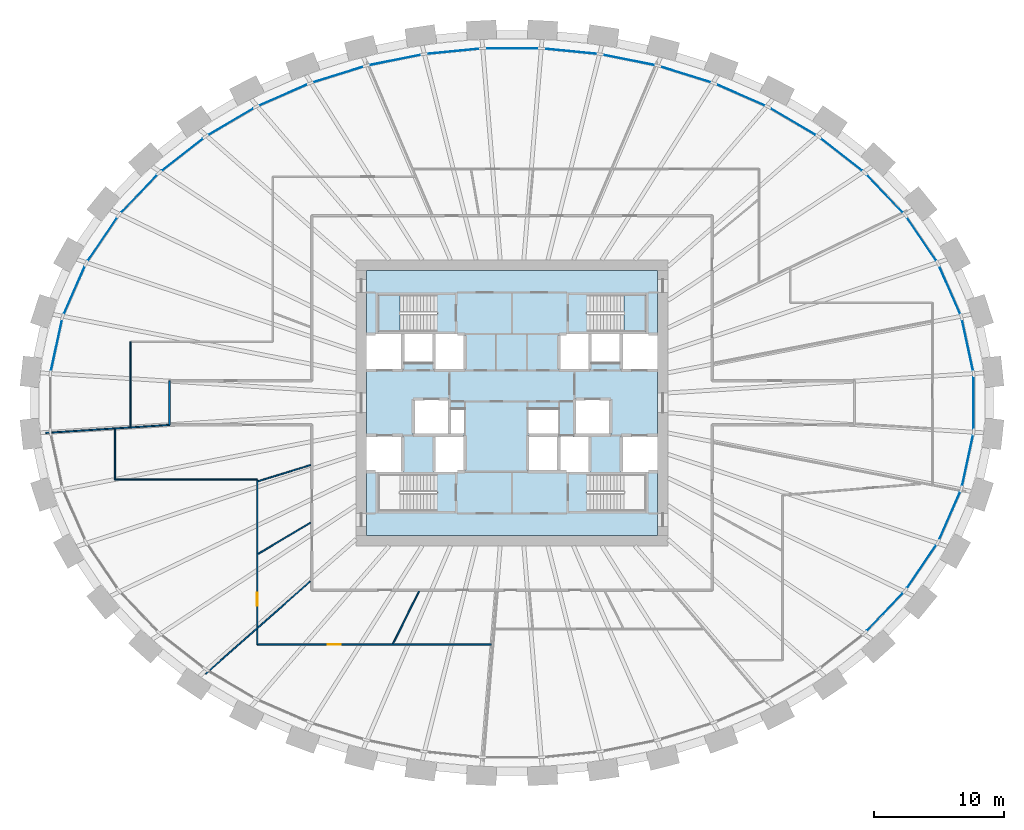
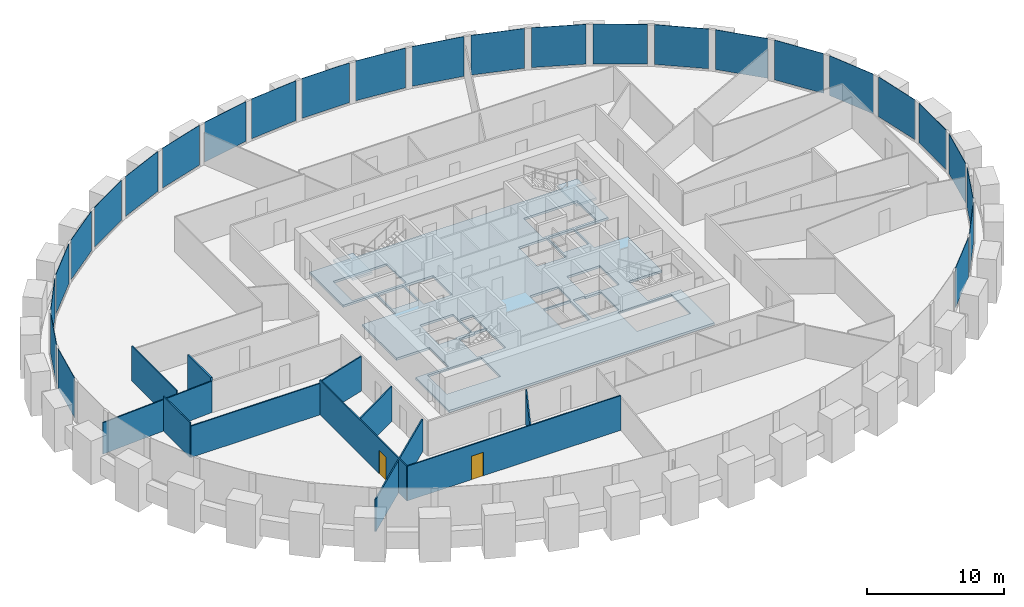
# One storey, part 5 of 10: 26 plates, 11 walls, 3 slabs, 2 doors, 2 openings, 3 elements without a shape of their own.
"""IFC4 building model written with IfcOpenShell, lengths in metres."""

from ifc_helpers import new_model, si_unit, direction, frame, frame_2d, origin, origin_2d, place, context, subcontext, project, spatial, polyline, rectangle, outline, extrude, source, transform, mapped, material, layer, layer_set, type_object, element, fill, aggregate, save


model = new_model("IFC4")

# Units and contexts
model_context = context("Model", 3, precision=1e-05, world=origin(), true_north=direction((0.0, 1.0)))
body_context = subcontext(model_context, "Body", "Model", "MODEL_VIEW")
ifc_project = project(units=[si_unit("LENGTHUNIT", "METRE"), si_unit("AREAUNIT", "SQUARE_METRE"), si_unit("VOLUMEUNIT", "CUBIC_METRE"), si_unit("PLANEANGLEUNIT", "RADIAN"), si_unit("MASSUNIT", "GRAM", prefix="KILO")], contexts=[model_context])

# Site, building, storey
site_placement = place(None, origin())
site = spatial("IfcSite", under=ifc_project, at=site_placement, CompositionType="ELEMENT")
building_placement = place(site_placement, origin())
building = spatial("IfcBuilding", under=site, at=building_placement, Name="Embergate Tower", CompositionType="ELEMENT")
storey_placement = place(building_placement, frame((0.0, 0.0, 183.300048828125)))
storey = spatial("IfcBuildingStorey", under=building, at=storey_placement, Name="L41", CompositionType="ELEMENT", Elevation=183.300048828125)

# Curtain wall, plates
ifc_material_1 = material(Name="Aluminium and glass", Category="aluminium")
curtain_wall_type = type_object("IfcCurtainWallType", Name="Recessed office glazing", PredefinedType="NOTDEFINED", material=ifc_material_1)
curtain_wall_placement = place(storey_placement, origin())
curtain_wall = element("IfcCurtainWall", 1, at=curtain_wall_placement, inside=storey, type_object=curtain_wall_type, Name="Recessed office glazing ring", ObjectType="RECESSED OFFICE GLAZING", PredefinedType="USERDEFINED")
ifc_material_2 = material(Name="Triple glazing, low-emissivity coating", Category="glass")
ifc_layer_1 = layer(ifc_material_2, 0.035888671875)
ifc_layer_set_1 = layer_set([ifc_layer_1], Name="Triple glazing, low-emissivity coating")
plate_type = type_object("IfcPlateType", Name="Office glazing unit", PredefinedType="CURTAIN_PANEL", material=ifc_layer_set_1)
shared_shape_1 = source(origin(), body_context, "Body", "SweptSolid", [
    extrude(rectangle(XDim=3.961181640625, YDim=0.035888671875, at=origin_2d()), origin(), (0.0, 0.0, 1.0), 3.550048828125),
])
plate_1_placement = place(storey_placement, frame((35.046630859375, 4.4296875, 0.14990234375), z_axis=(0.0, 0.0, 1.0), x_axis=(-0.210396684915, 0.977616097953, 0.0)))
plate_1 = element("IfcPlate", 2, at=plate_1_placement, type_object=plate_type, Name="CW panel 1.1", PredefinedType="CURTAIN_PANEL", context=body_context, shape_type="MappedRepresentation", body=[
    mapped(shared_shape_1, transform((0.0, 0.0, 0.0))),
])
plate_2_placement = place(storey_placement, frame((-35.046630859375, 4.4296875, 0.14990234375), z_axis=(0.0, 0.0, 1.0), x_axis=(-0.210396684915, -0.977616097953, 0.0)))
plate_2 = element("IfcPlate", 3, at=plate_2_placement, type_object=plate_type, Name="CW panel 21.1", PredefinedType="CURTAIN_PANEL", context=body_context, shape_type="MappedRepresentation", body=[
    mapped(shared_shape_1, transform((0.0, 0.0, 0.0))),
])
plate_3_placement = place(storey_placement, frame((35.046630859375, -4.4296875, 0.14990234375), z_axis=(0.0, 0.0, 1.0), x_axis=(0.210396684915, 0.977616097953, 0.0)))
plate_3 = element("IfcPlate", 4, at=plate_3_placement, type_object=plate_type, Name="CW panel 43.1", PredefinedType="CURTAIN_PANEL", context=body_context, shape_type="MappedRepresentation", body=[
    mapped(shared_shape_1, transform((0.0, 0.0, 0.0))),
])
shared_shape_2 = source(origin(), body_context, "Body", "SweptSolid", [
    extrude(rectangle(XDim=3.96826171875, YDim=0.035888671875, at=origin_2d()), origin(), (0.0, 0.0, 1.0), 3.550048828125),
])
plate_4_placement = place(storey_placement, frame((33.673828125, 8.67529296875, 0.14990234375), z_axis=(0.0, 0.0, 1.0), x_axis=(-0.401650502798, 0.915793029894, 0.0)))
plate_4 = element("IfcPlate", 5, at=plate_4_placement, type_object=plate_type, Name="CW panel 2.1", PredefinedType="CURTAIN_PANEL", context=body_context, shape_type="MappedRepresentation", body=[
    mapped(shared_shape_2, transform((0.0, 0.0, 0.0))),
])
plate_5_placement = place(storey_placement, frame((-33.673828125, 8.67529296875, 0.14990234375), z_axis=(0.0, 0.0, 1.0), x_axis=(-0.401650502798, -0.915793029894, 0.0)))
plate_5 = element("IfcPlate", 6, at=plate_5_placement, type_object=plate_type, Name="CW panel 20.1", PredefinedType="CURTAIN_PANEL", context=body_context, shape_type="MappedRepresentation", body=[
    mapped(shared_shape_2, transform((0.0, 0.0, 0.0))),
])
plate_6_placement = place(storey_placement, frame((33.673828125, -8.67529296875, 0.14990234375), z_axis=(0.0, 0.0, 1.0), x_axis=(0.401650502798, 0.915793029894, 0.0)))
plate_6 = element("IfcPlate", 7, at=plate_6_placement, type_object=plate_type, Name="CW panel 42.1", PredefinedType="CURTAIN_PANEL", context=body_context, shape_type="MappedRepresentation", body=[
    mapped(shared_shape_2, transform((0.0, 0.0, 0.0))),
])
shared_shape_3 = source(origin(), body_context, "Body", "SweptSolid", [
    extrude(rectangle(XDim=3.976806640625, YDim=0.035888671875, at=origin_2d()), origin(), (0.0, 0.0, 1.0), 3.550048828125),
])
plate_7_placement = place(storey_placement, frame((31.508056640625, 12.589599609375, 0.14990234375), z_axis=(0.0, 0.0, 1.0), x_axis=(-0.562340298693, 0.826905912705, 0.0)))
plate_7 = element("IfcPlate", 8, at=plate_7_placement, type_object=plate_type, Name="CW panel 3.1", PredefinedType="CURTAIN_PANEL", context=body_context, shape_type="MappedRepresentation", body=[
    mapped(shared_shape_3, transform((0.0, 0.0, 0.0))),
])
plate_8_placement = place(storey_placement, frame((-31.508056640625, 12.589599609375, 0.14990234375), z_axis=(0.0, 0.0, 1.0), x_axis=(-0.562340298693, -0.826905912705, 0.0)))
plate_8 = element("IfcPlate", 9, at=plate_8_placement, type_object=plate_type, Name="CW panel 19.1", PredefinedType="CURTAIN_PANEL", context=body_context, shape_type="MappedRepresentation", body=[
    mapped(shared_shape_3, transform((0.0, 0.0, 0.0))),
])
plate_9_placement = place(storey_placement, frame((31.508056640625, -12.589599609375, 0.14990234375), z_axis=(0.0, 0.0, 1.0), x_axis=(0.562340298693, 0.826905912705, 0.0)))
plate_9 = element("IfcPlate", 10, at=plate_9_placement, type_object=plate_type, Name="CW panel 41.1", PredefinedType="CURTAIN_PANEL", context=body_context, shape_type="MappedRepresentation", body=[
    mapped(shared_shape_3, transform((0.0, 0.0, 0.0))),
])
shared_shape_4 = source(origin(), body_context, "Body", "SweptSolid", [
    extrude(rectangle(XDim=3.985595703125, YDim=0.035888671875, at=origin_2d()), origin(), (0.0, 0.0, 1.0), 3.550048828125),
])
plate_10_placement = place(storey_placement, frame((28.68896484375, 16.079345703125, 0.14990234375), z_axis=(0.0, 0.0, 1.0), x_axis=(-0.6901325214, 0.723683012724, 0.0)))
plate_10 = element("IfcPlate", 11, at=plate_10_placement, type_object=plate_type, Name="CW panel 4.1", PredefinedType="CURTAIN_PANEL", context=body_context, shape_type="MappedRepresentation", body=[
    mapped(shared_shape_4, transform((0.0, 0.0, 0.0))),
])
plate_11_placement = place(storey_placement, frame((-28.68896484375, 16.079345703125, 0.14990234375), z_axis=(0.0, 0.0, 1.0), x_axis=(-0.6901325214, -0.723683012724, 0.0)))
plate_11 = element("IfcPlate", 12, at=plate_11_placement, type_object=plate_type, Name="CW panel 18.1", PredefinedType="CURTAIN_PANEL", context=body_context, shape_type="MappedRepresentation", body=[
    mapped(shared_shape_4, transform((0.0, 0.0, 0.0))),
])
plate_12_placement = place(storey_placement, frame((28.68896484375, -16.079345703125, 0.14990234375), z_axis=(0.0, 0.0, 1.0), x_axis=(0.6901325214, 0.723683012724, 0.0)))
plate_12 = element("IfcPlate", 13, at=plate_12_placement, type_object=plate_type, Name="CW panel 40.1", PredefinedType="CURTAIN_PANEL", context=body_context, shape_type="MappedRepresentation", body=[
    mapped(shared_shape_4, transform((0.0, 0.0, 0.0))),
])
shared_shape_5 = source(origin(), body_context, "Body", "SweptSolid", [
    extrude(rectangle(XDim=3.992919921875, YDim=0.035888671875, at=origin_2d()), origin(), (0.0, 0.0, 1.0), 3.550048828125),
])
plate_13_placement = place(storey_placement, frame((25.35546875, 19.097900390625, 0.14990234375), z_axis=(0.0, 0.0, 1.0), x_axis=(-0.788317971569, 0.615268051911, 0.0)))
plate_13 = element("IfcPlate", 14, at=plate_13_placement, type_object=plate_type, Name="CW panel 5.1", PredefinedType="CURTAIN_PANEL", context=body_context, shape_type="MappedRepresentation", body=[
    mapped(shared_shape_5, transform((0.0, 0.0, 0.0))),
])
plate_14_placement = place(storey_placement, frame((-25.35546875, 19.097900390625, 0.14990234375), z_axis=(0.0, 0.0, 1.0), x_axis=(-0.788317971569, -0.615268051911, 0.0)))
plate_14 = element("IfcPlate", 15, at=plate_14_placement, type_object=plate_type, Name="CW panel 17.1", PredefinedType="CURTAIN_PANEL", context=body_context, shape_type="MappedRepresentation", body=[
    mapped(shared_shape_5, transform((0.0, 0.0, 0.0))),
])
shared_shape_6 = source(origin(), body_context, "Body", "SweptSolid", [
    extrude(rectangle(XDim=3.9990234375, YDim=0.035888671875, at=origin_2d()), origin(), (0.0, 0.0, 1.0), 3.550048828125),
])
plate_15_placement = place(storey_placement, frame((21.62890625, 21.631591796875, 0.14990234375), z_axis=(0.0, 0.0, 1.0), x_axis=(-0.862051398678, 0.50682086188, 0.0)))
plate_15 = element("IfcPlate", 16, at=plate_15_placement, type_object=plate_type, Name="CW panel 6.1", PredefinedType="CURTAIN_PANEL", context=body_context, shape_type="MappedRepresentation", body=[
    mapped(shared_shape_6, transform((0.0, 0.0, 0.0))),
])
plate_16_placement = place(storey_placement, frame((-21.62890625, 21.631591796875, 0.14990234375), z_axis=(0.0, 0.0, 1.0), x_axis=(-0.862051398678, -0.50682086188, 0.0)))
plate_16 = element("IfcPlate", 17, at=plate_16_placement, type_object=plate_type, Name="CW panel 16.1", PredefinedType="CURTAIN_PANEL", context=body_context, shape_type="MappedRepresentation", body=[
    mapped(shared_shape_6, transform((0.0, 0.0, 0.0))),
])
shared_shape_7 = source(origin(), body_context, "Body", "SweptSolid", [
    extrude(rectangle(XDim=4.00341796875, YDim=0.035888671875, at=origin_2d()), origin(), (0.0, 0.0, 1.0), 3.550048828125),
])
plate_17_placement = place(storey_placement, frame((17.608642578125, 23.682861328125, 0.14990234375), z_axis=(0.0, 0.0, 1.0), x_axis=(-0.916234813243, 0.400641694037, 0.0)))
plate_17 = element("IfcPlate", 18, at=plate_17_placement, type_object=plate_type, Name="CW panel 7.1", PredefinedType="CURTAIN_PANEL", context=body_context, shape_type="MappedRepresentation", body=[
    mapped(shared_shape_7, transform((0.0, 0.0, 0.0))),
])
plate_18_placement = place(storey_placement, frame((-17.608642578125, 23.682861328125, 0.14990234375), z_axis=(0.0, 0.0, 1.0), x_axis=(-0.916234813243, -0.400641694037, 0.0)))
plate_18 = element("IfcPlate", 19, at=plate_18_placement, type_object=plate_type, Name="CW panel 15.1", PredefinedType="CURTAIN_PANEL", context=body_context, shape_type="MappedRepresentation", body=[
    mapped(shared_shape_7, transform((0.0, 0.0, 0.0))),
])
shared_shape_8 = source(origin(), body_context, "Body", "SweptSolid", [
    extrude(rectangle(XDim=4.0068359375, YDim=0.035888671875, at=origin_2d()), origin(), (0.0, 0.0, 1.0), 3.550048828125),
])
plate_19_placement = place(storey_placement, frame((13.37548828125, 25.261962890625, 0.14990234375), z_axis=(0.0, 0.0, 1.0), x_axis=(-0.954771179262, 0.297341546458, 0.0)))
plate_19 = element("IfcPlate", 20, at=plate_19_placement, type_object=plate_type, Name="CW panel 8.1", PredefinedType="CURTAIN_PANEL", context=body_context, shape_type="MappedRepresentation", body=[
    mapped(shared_shape_8, transform((0.0, 0.0, 0.0))),
])
plate_20_placement = place(storey_placement, frame((-13.37548828125, 25.261962890625, 0.14990234375), z_axis=(0.0, 0.0, 1.0), x_axis=(-0.954771179262, -0.297341546458, 0.0)))
plate_20 = element("IfcPlate", 21, at=plate_20_placement, type_object=plate_type, Name="CW panel 14.1", PredefinedType="CURTAIN_PANEL", context=body_context, shape_type="MappedRepresentation", body=[
    mapped(shared_shape_8, transform((0.0, 0.0, 0.0))),
])
shared_shape_9 = source(origin(), body_context, "Body", "SweptSolid", [
    extrude(rectangle(XDim=4.009033203125, YDim=0.035888671875, at=origin_2d()), origin(), (0.0, 0.0, 1.0), 3.550048828125),
])
plate_21_placement = place(storey_placement, frame((8.994140625, 26.380126953125, 0.14990234375), z_axis=(0.0, 0.0, 1.0), x_axis=(-0.980475564207, 0.196640962142, 0.0)))
plate_21 = element("IfcPlate", 22, at=plate_21_placement, type_object=plate_type, Name="CW panel 9.1", PredefinedType="CURTAIN_PANEL", context=body_context, shape_type="MappedRepresentation", body=[
    mapped(shared_shape_9, transform((0.0, 0.0, 0.0))),
])
plate_22_placement = place(storey_placement, frame((-8.994140625, 26.380126953125, 0.14990234375), z_axis=(0.0, 0.0, 1.0), x_axis=(-0.980475564207, -0.196640962142, 0.0)))
plate_22 = element("IfcPlate", 23, at=plate_22_placement, type_object=plate_type, Name="CW panel 13.1", PredefinedType="CURTAIN_PANEL", context=body_context, shape_type="MappedRepresentation", body=[
    mapped(shared_shape_9, transform((0.0, 0.0, 0.0))),
])
shared_shape_10 = source(origin(), body_context, "Body", "SweptSolid", [
    extrude(rectangle(XDim=4.01025390625, YDim=0.035888671875, at=origin_2d()), origin(), (0.0, 0.0, 1.0), 3.550048828125),
])
plate_23_placement = place(storey_placement, frame((4.51953125, 27.047119140625, 0.14990234375), z_axis=(0.0, 0.0, 1.0), x_axis=(-0.995203184788, 0.097829550688, 0.0)))
plate_23 = element("IfcPlate", 24, at=plate_23_placement, type_object=plate_type, Name="CW panel 10.1", PredefinedType="CURTAIN_PANEL", context=body_context, shape_type="MappedRepresentation", body=[
    mapped(shared_shape_10, transform((0.0, 0.0, 0.0))),
])
plate_24_placement = place(storey_placement, frame((-4.51953125, 27.047119140625, 0.14990234375), z_axis=(0.0, 0.0, 1.0), x_axis=(-0.995203184788, -0.097829550688, 0.0)))
plate_24 = element("IfcPlate", 25, at=plate_24_placement, type_object=plate_type, Name="CW panel 12.1", PredefinedType="CURTAIN_PANEL", context=body_context, shape_type="MappedRepresentation", body=[
    mapped(shared_shape_10, transform((0.0, 0.0, 0.0))),
])
shared_shape_11 = source(origin(), body_context, "Body", "SweptSolid", [
    extrude(rectangle(XDim=4.010498046875, YDim=0.035888671875, at=origin_2d()), origin(), (0.0, 0.0, 1.0), 3.550048828125),
])
plate_25_placement = place(storey_placement, frame((0.0, 27.268798828125, 0.14990234375), z_axis=(0.0, 0.0, 1.0), x_axis=(-1.0, 0.0, 0.0)))
plate_25 = element("IfcPlate", 26, at=plate_25_placement, type_object=plate_type, Name="CW panel 11.1", PredefinedType="CURTAIN_PANEL", context=body_context, shape_type="MappedRepresentation", body=[
    mapped(shared_shape_11, transform((0.0, 0.0, 0.0))),
])
shared_shape_12 = source(origin(), body_context, "Body", "SweptSolid", [
    extrude(rectangle(XDim=3.95849609375, YDim=0.035888671875, at=origin_2d()), origin(), (0.0, 0.0, 1.0), 3.550048828125),
])
plate_26_placement = place(storey_placement, frame((35.51806640625, 0.0, 0.14990234375), z_axis=(0.0, 0.0, 1.0), x_axis=(0.0, 1.0, 0.0)))
plate_26 = element("IfcPlate", 27, at=plate_26_placement, type_object=plate_type, Name="CW panel 44.1", PredefinedType="CURTAIN_PANEL", context=body_context, shape_type="MappedRepresentation", body=[
    mapped(shared_shape_12, transform((0.0, 0.0, 0.0))),
])
aggregate(curtain_wall, [plate_1, plate_4, plate_7, plate_10, plate_13, plate_15, plate_17, plate_19, plate_21, plate_23, plate_25, plate_24, plate_22, plate_20, plate_18, plate_16, plate_14, plate_11, plate_8, plate_5, plate_2, plate_12, plate_9, plate_6, plate_3, plate_26])

# Stair, slab
ifc_material_3 = material(Name="Exit stair")
stair_type = type_object("IfcStairType", Name="Exit stair", PredefinedType="HALF_TURN_STAIR", material=ifc_material_3)
stair_1_placement = place(storey_placement, origin())
stair_1 = element("IfcStair", 28, at=stair_1_placement, inside=storey, type_object=stair_type, Name="L41 Exit stair 1", PredefinedType="HALF_TURN_STAIR")
ifc_material_4 = material(Name="Concrete C40", Category="concrete")
ifc_layer_2 = layer(ifc_material_4, 0.199951171875)
ifc_layer_set_2 = layer_set([ifc_layer_2], Name="Concrete C40")
slab_type_1 = type_object("IfcSlabType", Name="Stair landing reinforced concrete", PredefinedType="LANDING", material=ifc_layer_set_2)
shared_shape_13 = source(origin(), body_context, "Body", "SweptSolid", [
    extrude(outline(polyline([(0.0, 0.0), (1.68994140625, 0.0), (1.68994140625, 2.800048828125), (0.0, 2.800048828125), (0.0, 0.0)])), origin(), (0.0, 0.0, 1.0), 0.199951171875),
])
slab_1_placement = place(storey_placement, frame((-10.300048828125, 5.5, 1.75)))
slab_1 = element("IfcSlab", 29, at=slab_1_placement, type_object=slab_type_1, Name="ST1 landing 1", PredefinedType="LANDING", context=body_context, shape_type="MappedRepresentation", body=[
    mapped(shared_shape_13, transform((0.0, 0.0, 0.0))),
])
aggregate(stair_1, [slab_1])

stair_2_placement = place(storey_placement, origin())
stair_2 = element("IfcStair", 30, at=stair_2_placement, inside=storey, type_object=stair_type, Name="L41 Exit stair 2", PredefinedType="HALF_TURN_STAIR")
slab_2_placement = place(storey_placement, frame((8.610107421875, 5.5, 1.75)))
slab_2 = element("IfcSlab", 31, at=slab_2_placement, type_object=slab_type_1, Name="ST2 landing 1", PredefinedType="LANDING", context=body_context, shape_type="MappedRepresentation", body=[
    mapped(shared_shape_13, transform((0.0, 0.0, 0.0))),
])
aggregate(stair_2, [slab_2])

# Slab
ifc_layer_3 = layer(ifc_material_4, 0.199951171875)
ifc_layer_set_3 = layer_set([ifc_layer_3], Name="Concrete C40")
slab_type_2 = type_object("IfcSlabType", Name="Core floor slab 200 reinforced concrete", PredefinedType="FLOOR", material=ifc_layer_set_3)
shared_shape_14 = source(origin(), body_context, "Body", "SweptSolid", [
    extrude(outline(polyline([(0.0, 0.0), (22.39990234375, 0.0), (22.39990234375, 4.89990234375), (19.599853515625, 4.89990234375), (19.599853515625, 7.699951171875), (22.39990234375, 7.699951171875), (22.39990234375, 12.699951171875), (19.599853515625, 12.699951171875), (19.599853515625, 15.5), (22.39990234375, 15.5), (22.39990234375, 20.39990234375), (0.0, 20.39990234375), (0.0, 15.5), (2.800048828125, 15.5), (2.800048828125, 12.699951171875), (0.0, 12.699951171875), (0.0, 7.699951171875), (2.800048828125, 7.699951171875), (2.800048828125, 4.89990234375), (0.0, 4.89990234375), (0.0, 0.0)]), holes=[polyline([(0.89990234375, 1.89990234375), (0.89990234375, 4.699951171875), (5.43994140625, 4.699951171875), (5.43994140625, 1.89990234375), (0.89990234375, 1.89990234375)]), polyline([(16.9599609375, 1.89990234375), (16.9599609375, 4.699951171875), (21.5, 4.699951171875), (21.5, 1.89990234375), (16.9599609375, 1.89990234375)]), polyline([(5.199951171875, 4.89990234375), (5.199951171875, 7.574951171875), (6.52490234375, 7.574951171875), (6.52490234375, 7.699951171875), (7.599853515625, 7.699951171875), (7.599853515625, 4.89990234375), (5.199951171875, 4.89990234375)]), polyline([(12.39990234375, 4.89990234375), (12.39990234375, 7.699951171875), (14.675048828125, 7.699951171875), (14.675048828125, 4.89990234375), (12.39990234375, 4.89990234375)]), polyline([(14.925048828125, 4.89990234375), (14.925048828125, 7.699951171875), (15.875, 7.699951171875), (15.875, 7.574951171875), (17.199951171875, 7.574951171875), (17.199951171875, 4.89990234375), (14.925048828125, 4.89990234375)]), polyline([(3.599853515625, 7.699951171875), (3.599853515625, 10.5), (6.39990234375, 10.5), (6.39990234375, 7.824951171875), (5.074951171875, 7.824951171875), (5.074951171875, 7.699951171875), (3.599853515625, 7.699951171875)]), polyline([(17.324951171875, 7.699951171875), (17.324951171875, 7.824951171875), (16.0, 7.824951171875), (16.0, 10.5), (18.800048828125, 10.5), (18.800048828125, 7.699951171875), (17.324951171875, 7.699951171875)]), polyline([(6.52490234375, 7.824951171875), (6.52490234375, 9.699951171875), (7.599853515625, 9.699951171875), (7.599853515625, 7.824951171875), (6.52490234375, 7.824951171875)]), polyline([(12.39990234375, 7.824951171875), (12.39990234375, 9.699951171875), (14.800048828125, 9.699951171875), (14.800048828125, 7.824951171875), (14.675048828125, 7.824951171875), (12.39990234375, 7.824951171875)]), polyline([(5.199951171875, 12.699951171875), (5.199951171875, 15.5), (7.599853515625, 15.5), (7.599853515625, 12.699951171875), (5.199951171875, 12.699951171875)]), polyline([(14.800048828125, 12.699951171875), (14.800048828125, 15.5), (17.199951171875, 15.5), (17.199951171875, 12.699951171875), (14.800048828125, 12.699951171875)]), polyline([(2.925048828125, 13.300048828125), (2.925048828125, 15.5), (5.074951171875, 15.5), (5.074951171875, 13.300048828125), (2.925048828125, 13.300048828125)]), polyline([(17.324951171875, 13.300048828125), (17.324951171875, 15.5), (19.474853515625, 15.5), (19.474853515625, 13.300048828125), (17.324951171875, 13.300048828125)]), polyline([(0.89990234375, 15.699951171875), (0.89990234375, 18.5), (5.43994140625, 18.5), (5.43994140625, 15.699951171875), (0.89990234375, 15.699951171875)]), polyline([(16.9599609375, 15.699951171875), (16.9599609375, 18.5), (21.5, 18.5), (21.5, 15.699951171875), (16.9599609375, 15.699951171875)])]), origin(), (0.0, 0.0, 1.0), 0.199951171875),
])
slab_3_placement = place(storey_placement, frame((-11.199951171875, -10.199951171875, -0.199951171875)))
element("IfcSlab", 32, at=slab_3_placement, inside=storey, type_object=slab_type_2, Name="Core floor slab", PredefinedType="FLOOR", context=body_context, shape_type="MappedRepresentation", body=[
    mapped(shared_shape_14, transform((0.0, 0.0, 0.0))),
])

# Walls
ifc_material_5 = material(Name="Partition dry-lined 100")
ifc_layer_4 = layer(ifc_material_5, 0.10009765625)
ifc_layer_set_4 = layer_set([ifc_layer_4], Name="Partition dry-lined 100")
wall_type_1 = type_object("IfcWallType", Name="Partition dry-lined 100", PredefinedType="PARTITIONING", material=ifc_layer_set_4)
shared_shape_15 = source(origin(), body_context, "Body", "SweptSolid", [
    extrude(rectangle(XDim=10.949951171875, YDim=0.10009765625, at=frame_2d((5.47509765625, 0.0))), origin(), (0.0, 0.0, 1.0), 2.800048828125),
])
wall_1_placement = place(storey_placement, frame((-19.60009765625, -5.89990234375, 0.0), z_axis=(0.0, 0.0, 1.0), x_axis=(-1.0, 0.0, 0.0)))
element("IfcWall", 33, at=wall_1_placement, inside=storey, type_object=wall_type_1, Name="IP-1 wall", PredefinedType="PARTITIONING", context=body_context, shape_type="MappedRepresentation", body=[
    mapped(shared_shape_15, transform((0.0, 0.0, 0.0))),
])
shared_shape_16 = source(origin(), body_context, "Body", "SweptSolid", [
    extrude(rectangle(XDim=9.552734375, YDim=0.10009765625, at=frame_2d((4.7763671875, 0.0))), origin(), (0.0, 0.0, 1.0), 2.800048828125),
])
wall_2_placement = place(storey_placement, frame((-26.35009765625, -1.697021484375, 0.0), z_axis=(0.0, 0.0, 1.0), x_axis=(-0.997932136259, -0.064276367524, 0.0)))
element("IfcWall", 34, at=wall_2_placement, inside=storey, type_object=wall_type_1, Name="IP-1 wall", PredefinedType="PARTITIONING", context=body_context, shape_type="MappedRepresentation", body=[
    mapped(shared_shape_16, transform((0.0, 0.0, 0.0))),
])
shared_shape_17 = source(origin(), body_context, "Body", "SweptSolid", [
    extrude(rectangle(XDim=10.775146484375, YDim=0.10009765625, at=frame_2d((5.3876953125, 0.0))), origin(), (0.0, 0.0, 1.0), 2.89990234375),
])
wall_3_placement = place(storey_placement, frame((-23.5791015625, -20.85693359375, 0.0), z_axis=(0.0, 0.0, 1.0), x_axis=(0.749035915734, 0.662529393266, 0.0)))
element("IfcWall", 35, at=wall_3_placement, inside=storey, type_object=wall_type_1, Name="IP-1 wall", PredefinedType="PARTITIONING", context=body_context, shape_type="MappedRepresentation", body=[
    mapped(shared_shape_17, transform((0.0, 0.0, 0.0))),
])
ifc_material_6 = material(Name="Corridor wall dry-lined 150")
ifc_layer_5 = layer(ifc_material_6, 0.14990234375)
ifc_layer_set_5 = layer_set([ifc_layer_5], Name="Corridor wall dry-lined 150")
wall_type_2 = type_object("IfcWallType", Name="Corridor wall dry-lined 150", PredefinedType="PARTITIONING", material=ifc_layer_set_5)
shared_shape_18 = source(origin(), body_context, "Body", "SweptSolid", [
    extrude(rectangle(XDim=3.39697265625, YDim=0.14990234375, at=frame_2d((1.698486328125, 0.0))), origin(), (0.0, 0.0, 1.0), 3.099853515625),
])
wall_4_placement = place(storey_placement, frame((-26.35009765625, -1.697021484375, 0.0), z_axis=(0.0, 0.0, 1.0), x_axis=(0.0, 1.0, 0.0)))
element("IfcWall", 36, at=wall_4_placement, inside=storey, type_object=wall_type_2, Name="IP-2 wall", PredefinedType="PARTITIONING", context=body_context, shape_type="MappedRepresentation", body=[
    mapped(shared_shape_18, transform((0.0, 0.0, 0.0))),
])
shared_shape_19 = source(origin(), body_context, "Body", "SweptSolid", [
    extrude(rectangle(XDim=4.233154296875, YDim=0.10009765625, at=frame_2d((2.11669921875, 0.0))), origin(), (0.0, 0.0, 1.0), 3.099853515625),
])
wall_5_placement = place(storey_placement, frame((-15.489990234375, -4.781005859375, 0.0), z_axis=(0.0, 0.0, 1.0), x_axis=(-0.955549267273, -0.294831473582, 0.0)))
element("IfcWall", 37, at=wall_5_placement, inside=storey, type_object=wall_type_1, Name="IP-1 wall", PredefinedType="PARTITIONING", context=body_context, shape_type="MappedRepresentation", body=[
    mapped(shared_shape_19, transform((0.0, 0.0, 0.0))),
])

# Wall, opening, door
shared_shape_20 = source(origin(), body_context, "Body", "SweptSolid", [
    extrude(rectangle(XDim=12.7001953125, YDim=0.10009765625, at=frame_2d((6.35009765625, 0.0))), origin(), (0.0, 0.0, 1.0), 3.099853515625),
])
wall_6_placement = place(storey_placement, frame((-19.60009765625, -18.60009765625, 0.0), z_axis=(0.0, 0.0, 1.0), x_axis=(0.0, 1.0, 0.0)))
wall_6 = element("IfcWall", 38, at=wall_6_placement, inside=storey, type_object=wall_type_1, Name="IP-1 wall", PredefinedType="PARTITIONING", context=body_context, shape_type="MappedRepresentation", body=[
    mapped(shared_shape_20, transform((0.0, 0.0, 0.0))),
])
shared_shape_21 = source(origin(), body_context, "Body", "SweptSolid", [
    extrude(rectangle(XDim=1.0, YDim=2.10009765625, at=frame_2d((0.5, 1.050048828125))), frame((0.0, 0.06005859375, 0.0), z_axis=(0.0, -1.0, 0.0), x_axis=(1.0, 0.0, 0.0)), (0.0, 0.0, 1.0), 0.1201171875),
])
opening_1_placement = place(wall_6_placement, frame((2.989990234375, 0.0, 0.0)))
opening_1 = element("IfcOpeningElement", 39, at=opening_1_placement, cuts=wall_6, Name="Opening ID-2", PredefinedType="OPENING", context=body_context, shape_type="MappedRepresentation", body=[
    mapped(shared_shape_21, transform((0.0, 0.0, 0.0))),
])
ifc_material_7 = material(Name="Interior door 1000")
door_type = type_object("IfcDoorType", Name="Interior door 1000", OperationType="SINGLE_SWING_LEFT", PredefinedType="DOOR", material=ifc_material_7)
shared_shape_22 = source(origin(), body_context, "Body", "SweptSolid", [
    extrude(rectangle(XDim=1.0, YDim=2.10009765625, at=frame_2d((0.5, 1.050048828125))), frame((0.0, 0.02490234375, 0.0), z_axis=(0.0, -1.0, 0.0), x_axis=(1.0, 0.0, 0.0)), (0.0, 0.0, 1.0), 0.050048828125),
])
door_1_placement = place(opening_1_placement, origin())
door_1 = element("IfcDoor", 40, at=door_1_placement, inside=storey, type_object=door_type, Name="ID-2 door", OperationType="SINGLE_SWING_LEFT", OverallHeight=2.10009765625, OverallWidth=1.0, PredefinedType="DOOR", context=body_context, shape_type="MappedRepresentation", body=[
    mapped(shared_shape_22, transform((0.0, 0.0, 0.0))),
])
fill(opening_1, door_1)

# Walls
shared_shape_23 = source(origin(), body_context, "Body", "SweptSolid", [
    extrude(rectangle(XDim=3.8828125, YDim=0.10009765625, at=frame_2d((1.94140625, 0.0))), origin(), (0.0, 0.0, 1.0), 3.099853515625),
])
wall_7_placement = place(storey_placement, frame((-30.550048828125, -5.89990234375, 0.0), z_axis=(0.0, 0.0, 1.0), x_axis=(0.0, 1.0, 0.0)))
element("IfcWall", 41, at=wall_7_placement, inside=storey, type_object=wall_type_1, Name="IP-1 wall", PredefinedType="PARTITIONING", context=body_context, shape_type="MappedRepresentation", body=[
    mapped(shared_shape_23, transform((0.0, 0.0, 0.0))),
])
shared_shape_24 = source(origin(), body_context, "Body", "SweptSolid", [
    extrude(rectangle(XDim=4.680908203125, YDim=0.10009765625, at=frame_2d((2.34033203125, 0.0))), origin(), (0.0, 0.0, 1.0), 3.099853515625),
])
wall_8_placement = place(storey_placement, frame((-15.5009765625, -9.219970703125, 0.0), z_axis=(0.0, 0.0, 1.0), x_axis=(-0.859438032727, -0.511239931835, 0.0)))
element("IfcWall", 42, at=wall_8_placement, inside=storey, type_object=wall_type_1, Name="IP-1 wall", PredefinedType="PARTITIONING", context=body_context, shape_type="MappedRepresentation", body=[
    mapped(shared_shape_24, transform((0.0, 0.0, 0.0))),
])
shared_shape_25 = source(origin(), body_context, "Body", "SweptSolid", [
    extrude(rectangle(XDim=4.495849609375, YDim=0.10009765625, at=frame_2d((2.248046875, 0.0))), origin(), (0.0, 0.0, 1.0), 3.099853515625),
])
wall_9_placement = place(storey_placement, frame((-7.159912109375, -14.4970703125, 0.0), z_axis=(0.0, 0.0, 1.0), x_axis=(-0.442842293257, -0.896599522252, 0.0)))
element("IfcWall", 43, at=wall_9_placement, inside=storey, type_object=wall_type_1, Name="IP-1 wall", PredefinedType="PARTITIONING", context=body_context, shape_type="MappedRepresentation", body=[
    mapped(shared_shape_25, transform((0.0, 0.0, 0.0))),
])

# Wall, opening, door
shared_shape_26 = source(origin(), body_context, "Body", "SweptSolid", [
    extrude(rectangle(XDim=18.030029296875, YDim=0.10009765625, at=frame_2d((9.01513671875, 0.0))), origin(), (0.0, 0.0, 1.0), 3.099853515625),
])
wall_10_placement = place(storey_placement, frame((-1.570068359375, -18.60009765625, 0.0), z_axis=(0.0, 0.0, 1.0), x_axis=(-1.0, 0.0, 0.0)))
wall_10 = element("IfcWall", 44, at=wall_10_placement, inside=storey, type_object=wall_type_1, Name="IP-1 wall", PredefinedType="PARTITIONING", context=body_context, shape_type="MappedRepresentation", body=[
    mapped(shared_shape_26, transform((0.0, 0.0, 0.0))),
])
opening_2_placement = place(wall_10_placement, frame((11.61767578125, 0.0, 0.0)))
opening_2 = element("IfcOpeningElement", 45, at=opening_2_placement, cuts=wall_10, Name="Opening ID-2", PredefinedType="OPENING", context=body_context, shape_type="MappedRepresentation", body=[
    mapped(shared_shape_21, transform((0.0, 0.0, 0.0))),
])
door_2_placement = place(opening_2_placement, origin())
door_2 = element("IfcDoor", 46, at=door_2_placement, inside=storey, type_object=door_type, Name="ID-2 door", OperationType="SINGLE_SWING_RIGHT", OverallHeight=2.10009765625, OverallWidth=1.0, PredefinedType="DOOR", context=body_context, shape_type="MappedRepresentation", body=[
    mapped(shared_shape_22, transform((0.0, 0.0, 0.0))),
])
fill(opening_2, door_2)

# Wall
shared_shape_27 = source(origin(), body_context, "Body", "SweptSolid", [
    extrude(rectangle(XDim=6.5400390625, YDim=0.10009765625, at=frame_2d((3.27001953125, 0.0))), origin(), (0.0, 0.0, 1.0), 3.099853515625),
])
wall_11_placement = place(storey_placement, frame((-29.35009765625, 4.699951171875, 0.0), z_axis=(0.0, 0.0, 1.0), x_axis=(0.0, -1.0, 0.0)))
element("IfcWall", 47, at=wall_11_placement, inside=storey, type_object=wall_type_1, Name="IP-1 wall", PredefinedType="PARTITIONING", context=body_context, shape_type="MappedRepresentation", body=[
    mapped(shared_shape_27, transform((0.0, 0.0, 0.0))),
])

save(model, "model.ifc")
